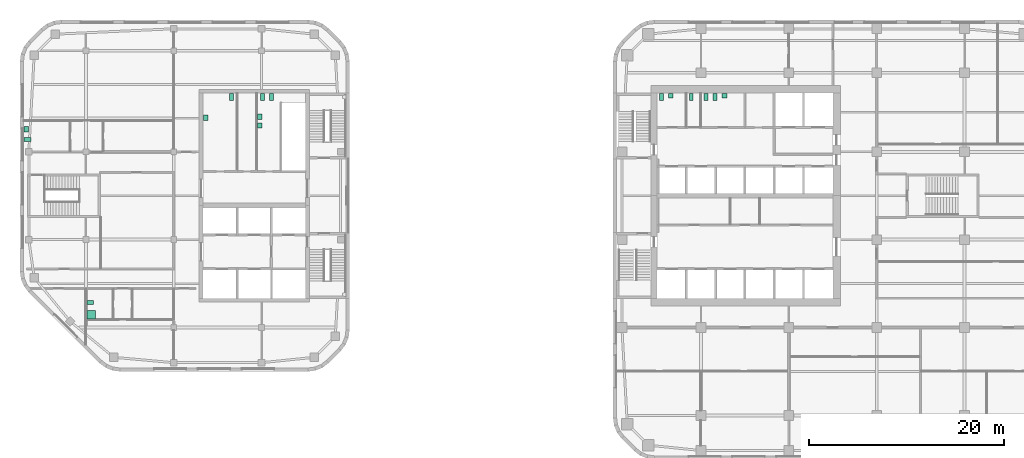
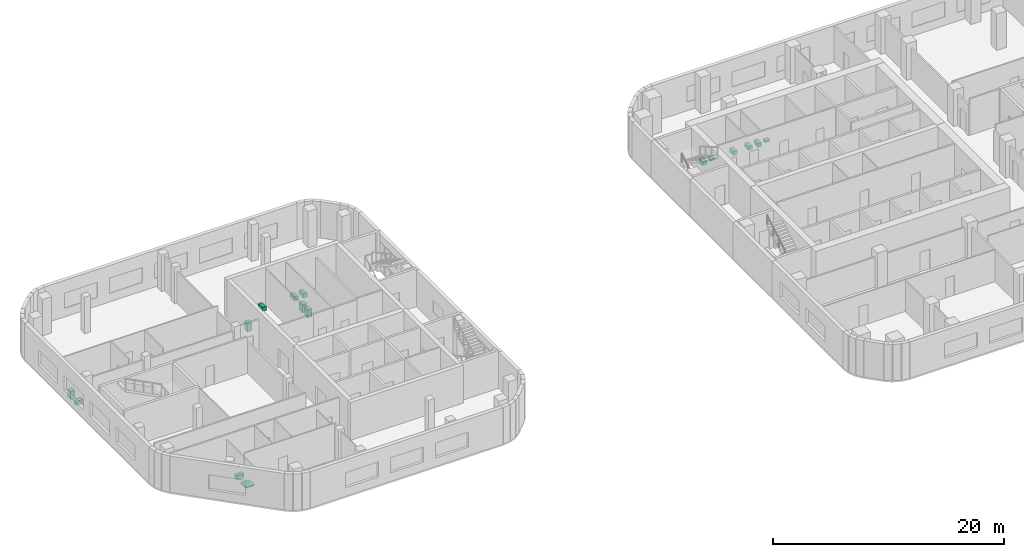
# One storey, part 14 of 14: 16 sanitary terminals.
"""IFC4 building model written with IfcOpenShell, lengths in metres."""

from ifc_helpers import new_model, si_unit, direction, frame, origin, origin_2d, place, context, subcontext, project, spatial, rectangle, extrude, material, type_object, element, save


model = new_model("IFC4")

# Units and contexts
model_context = context("Model", 3, precision=1e-05, world=origin(), true_north=direction((0.0, 1.0)))
body_context = subcontext(model_context, "Body", "Model", "MODEL_VIEW")
ifc_project = project(units=[si_unit("LENGTHUNIT", "METRE"), si_unit("AREAUNIT", "SQUARE_METRE"), si_unit("VOLUMEUNIT", "CUBIC_METRE"), si_unit("PLANEANGLEUNIT", "RADIAN"), si_unit("MASSUNIT", "GRAM", prefix="KILO")], contexts=[model_context])

# Site, building, storey
site_placement = place(None, origin())
site = spatial("IfcSite", under=ifc_project, at=site_placement, CompositionType="ELEMENT")
building_placement = place(site_placement, origin())
building = spatial("IfcBuilding", under=site, at=building_placement, Name="Cinnabar Reach Civic Tower", CompositionType="ELEMENT")
storey_placement = place(building_placement, frame((0.0, 0.0, 104.0)))
storey = spatial("IfcBuildingStorey", under=building, at=storey_placement, Name="L24", CompositionType="ELEMENT", Elevation=104.0)

# Sanitary terminals
ifc_material_1 = material(Name="Vitreous china")
sanitary_terminal_type_1 = type_object("IfcSanitaryTerminalType", Name="T1 WC pan", PredefinedType="TOILETPAN", material=ifc_material_1)
for number, where, z_axis, x_axis, name in (
    (1, (4.95, 41.6, 0.0), (0.0, 0.0, 1.0), (1.0, 0.0, 0.0), "T1 WC pan 2407-1"),
    (2, (8.0, 41.6, 0.0), (0.0, 0.0, 1.0), (1.0, 0.0, 0.0), "T1 WC pan 2408-1"),
    (3, (9.5, 41.6, 0.0), (0.0, 0.0, 1.0), (1.0, 0.0, 0.0), "T1 WC pan 2409-1"),
    (4, (10.45, 41.6, 0.0), (0.0, 0.0, 1.0), (1.0, 0.0, 0.0), "T1 WC pan 2409-2"),
):
    element("IfcSanitaryTerminal", number, at=place(storey_placement, frame(where, z_axis=z_axis, x_axis=x_axis)), inside=storey, type_object=sanitary_terminal_type_1, Name=name, PredefinedType="TOILETPAN", context=body_context, shape_type="SweptSolid", body=[
        extrude(rectangle(XDim=0.4, YDim=0.7, at=origin_2d()), origin(), (0.0, 0.0, 1.0), 0.4),
    ])
sanitary_terminal_type_2 = type_object("IfcSanitaryTerminalType", Name="T1 wash basin", PredefinedType="WASHHANDBASIN", material=ifc_material_1)
for number, where, z_axis, x_axis, name in (
    (5, (5.9, 41.74, 0.0), (0.0, 0.0, 1.0), (1.0, 0.0, 0.0), "T1 wash basin 2407-2"),
    (6, (11.4, 41.74, 0.0), (0.0, 0.0, 1.0), (1.0, 0.0, 0.0), "T1 wash basin 2409-3"),
):
    element("IfcSanitaryTerminal", number, at=place(storey_placement, frame(where, z_axis=z_axis, x_axis=x_axis)), inside=storey, type_object=sanitary_terminal_type_2, Name=name, PredefinedType="WASHHANDBASIN", context=body_context, shape_type="SweptSolid", body=[
        extrude(rectangle(XDim=0.5, YDim=0.42, at=origin_2d()), origin(), (0.0, 0.0, 1.0), 0.2),
    ])
ifc_material_2 = material(Name="Acrylic tray")
sanitary_terminal_type_3 = type_object("IfcSanitaryTerminalType", Name="T2 Shower tray", PredefinedType="SHOWER", material=ifc_material_2)
sanitary_terminal_placement = place(storey_placement, frame((-53.45, 19.3, 0.0), z_axis=(0.0, 0.0, 1.0), x_axis=(1.0, 0.0, 0.0)))
element("IfcSanitaryTerminal", 7, at=sanitary_terminal_placement, inside=storey, type_object=sanitary_terminal_type_3, Name="Shower tray", PredefinedType="SHOWER", context=body_context, shape_type="SweptSolid", body=[
    extrude(rectangle(XDim=0.9, YDim=0.9, at=origin_2d()), origin(), (0.0, 0.0, 1.0), 0.1),
])
sanitary_terminal_type_4 = type_object("IfcSanitaryTerminalType", Name="T2 WC pan", PredefinedType="TOILETPAN", material=ifc_material_1)
for number, where, z_axis, x_axis, name in (
    (8, (-39.1, 41.6, 0.0), (0.0, 0.0, 1.0), (1.0, 0.0, 0.0), "WC pan"),
    (9, (-35.9, 41.6, 0.0), (0.0, 0.0, 1.0), (1.0, 0.0, 0.0), "WC pan"),
    (10, (-35.0, 41.6, 0.0), (0.0, 0.0, 1.0), (1.0, 0.0, 0.0), "WC pan"),
):
    element("IfcSanitaryTerminal", number, at=place(storey_placement, frame(where, z_axis=z_axis, x_axis=x_axis)), inside=storey, type_object=sanitary_terminal_type_4, Name=name, PredefinedType="TOILETPAN", context=body_context, shape_type="SweptSolid", body=[
        extrude(rectangle(XDim=0.4, YDim=0.7, at=origin_2d()), origin(), (0.0, 0.0, 1.0), 0.42),
    ])
for number, where, z_axis, x_axis, name in (
    (11, (-53.55, 20.55, 0.0), (0.0, 0.0, 1.0), (1.0, 0.0, 0.0), "WC pan"),
    (12, (-59.99, 37.25, 0.0), (0.0, 0.0, 1.0), (1.0, 0.0, 0.0), "WC pan"),
):
    element("IfcSanitaryTerminal", number, at=place(storey_placement, frame(where, z_axis=z_axis, x_axis=x_axis)), inside=storey, type_object=sanitary_terminal_type_4, Name=name, PredefinedType="TOILETPAN", context=body_context, shape_type="SweptSolid", body=[
        extrude(rectangle(XDim=0.7, YDim=0.4, at=origin_2d()), origin(), (0.0, 0.0, 1.0), 0.42),
    ])
sanitary_terminal_type_5 = type_object("IfcSanitaryTerminalType", Name="T2 Wash basin", PredefinedType="WASHHANDBASIN", material=ifc_material_1)
for number, where, z_axis, x_axis, name in (
    (13, (-41.725, 39.5, 0.0), (0.0, 0.0, 1.0), (1.0, 0.0, 0.0), "Wash basin"),
    (14, (-36.175, 39.6, 0.0), (0.0, 0.0, 1.0), (1.0, 0.0, 0.0), "Wash basin"),
    (15, (-36.175, 38.7, 0.0), (0.0, 0.0, 1.0), (1.0, 0.0, 0.0), "Wash basin"),
    (16, (-60.115, 38.3, 0.0), (0.0, 0.0, 1.0), (1.0, 0.0, 0.0), "Wash basin"),
):
    element("IfcSanitaryTerminal", number, at=place(storey_placement, frame(where, z_axis=z_axis, x_axis=x_axis)), inside=storey, type_object=sanitary_terminal_type_5, Name=name, PredefinedType="WASHHANDBASIN", context=body_context, shape_type="SweptSolid", body=[
        extrude(rectangle(XDim=0.45, YDim=0.55, at=origin_2d()), origin(), (0.0, 0.0, 1.0), 0.85),
    ])

save(model, "model.ifc")
